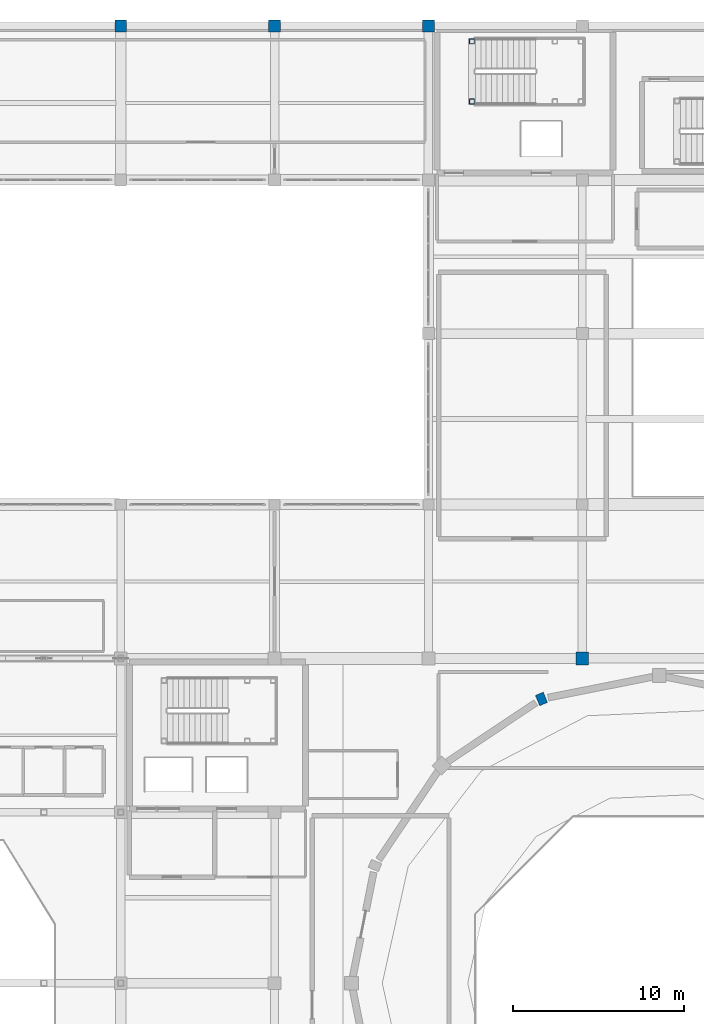
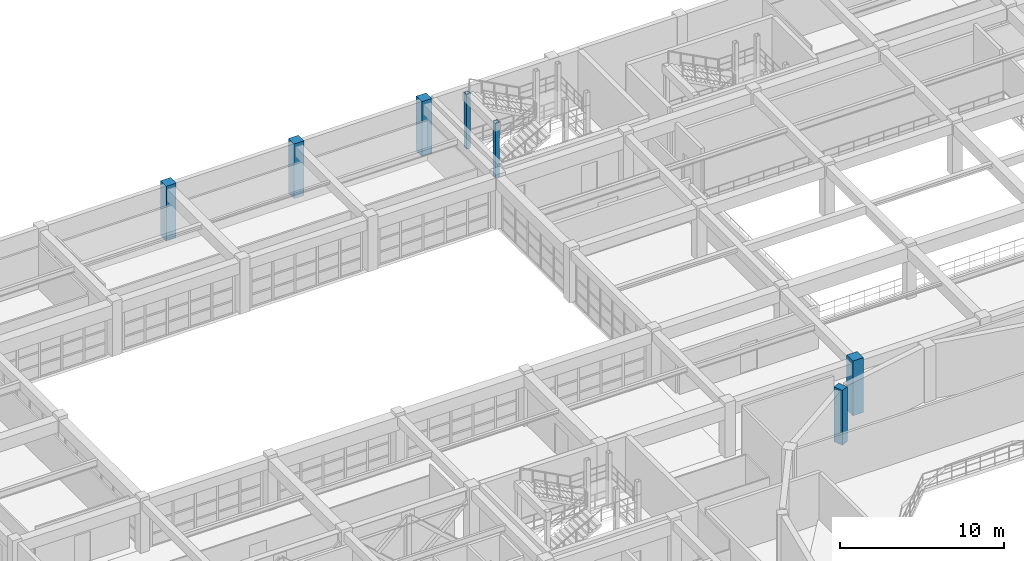
# One storey, part 10 of 130: 7 columns.
"""IFC4 building model written with IfcOpenShell, lengths in metres."""

from ifc_helpers import new_model, si_unit, direction, frame, origin, origin_2d, place, context, subcontext, project, spatial, rectangle, hollow_rectangle, extrude, material, material_profile, profile_set, type_object, element, save


model = new_model("IFC4")

# Units and contexts
model_context = context("Model", 3, precision=1e-05, world=origin(), true_north=direction((0.0, 1.0)))
body_context = subcontext(model_context, "Body", "Model", "MODEL_VIEW")
ifc_project = project(units=[si_unit("LENGTHUNIT", "METRE"), si_unit("AREAUNIT", "SQUARE_METRE"), si_unit("VOLUMEUNIT", "CUBIC_METRE"), si_unit("PLANEANGLEUNIT", "RADIAN"), si_unit("MASSUNIT", "GRAM", prefix="KILO")], contexts=[model_context])

# Site, building, storey
site_placement = place(None, origin())
site = spatial("IfcSite", under=ifc_project, at=site_placement, CompositionType="ELEMENT")
building_placement = place(site_placement, origin())
building = spatial("IfcBuilding", under=site, at=building_placement, Name="Miravela Opera House", CompositionType="ELEMENT")
storey_placement = place(building_placement, frame((0.0, 0.0, 9.52001953125)))
storey = spatial("IfcBuildingStorey", under=building, at=storey_placement, Name="L02", CompositionType="ELEMENT", Elevation=9.52001953125)

# Columns
ifc_material_1 = material(Name="Hollow structural steel ASTM A500 Gr. C", Category="steel")
ifc_material_profile_1 = material_profile(ifc_material_1, hollow_rectangle(XDim=0.300048828125, YDim=0.300048828125, WallThickness=0.01611328125, InnerFilletRadius=0.01611328125, OuterFilletRadius=0.031982421875, at=origin_2d()), Name="HSS300X300X16")
ifc_profile_set_1 = profile_set([ifc_material_profile_1])
column_type_1 = type_object("IfcColumnType", Name="STR-COL-HSS300", PredefinedType="COLUMN", material=ifc_profile_set_1)
for number, where, z_axis, x_axis, name in (
    (1, (65.5400390625, 107.580078125, 0.0), (0.0, 0.0, 1.0), (1.0, 0.0, 0.0), "Stair K5 Landing Support Column 1 (L02)"),
    (2, (65.5400390625, 111.10009765625, 0.0), (0.0, 0.0, 1.0), (1.0, 0.0, 0.0), "Stair K5 Landing Support Column 2 (L02)"),
):
    element("IfcColumn", number, at=place(storey_placement, frame(where, z_axis=z_axis, x_axis=x_axis)), inside=storey, type_object=column_type_1, Name=name, PredefinedType="COLUMN", context=body_context, shape_type="SweptSolid", body=[
        extrude(hollow_rectangle(XDim=0.300048828125, YDim=0.300048828125, WallThickness=0.01611328125, InnerFilletRadius=0.01611328125, OuterFilletRadius=0.031982421875, at=origin_2d()), origin(), (0.0, 0.0, 1.0), 4.080078125),
    ])
ifc_material_2 = material(Name="Concrete C35/45", Category="concrete")
ifc_material_profile_2 = material_profile(ifc_material_2, rectangle(XDim=0.699951171875, YDim=0.699951171875, at=origin_2d()), Name="RC-COL-700X700")
ifc_profile_set_2 = profile_set([ifc_material_profile_2])
column_type_2 = type_object("IfcColumnType", Name="STR-COL-RC700", PredefinedType="COLUMN", material=ifc_profile_set_2)
for number, where, z_axis, x_axis, name in (
    (3, (45.0, 112.0, 0.0), (0.0, 0.0, 1.0), (1.0, 0.0, 0.0), "Column C-6M (L02)"),
    (4, (54.0, 112.0, 0.0), (0.0, 0.0, 1.0), (1.0, 0.0, 0.0), "Column C-7M (L02)"),
    (5, (63.0, 112.0, 0.0), (0.0, 0.0, 1.0), (1.0, 0.0, 0.0), "Column C-8M (L02)"),
):
    element("IfcColumn", number, at=place(storey_placement, frame(where, z_axis=z_axis, x_axis=x_axis)), inside=storey, type_object=column_type_2, Name=name, PredefinedType="COLUMN", context=body_context, shape_type="SweptSolid", body=[
        extrude(rectangle(XDim=0.699951171875, YDim=0.699951171875, at=origin_2d()), origin(), (0.0, 0.0, 1.0), 4.080078125),
    ])
ifc_material_profile_3 = material_profile(ifc_material_2, rectangle(XDim=0.75, YDim=0.75, at=origin_2d()), Name="RC-COL-750X750")
ifc_profile_set_3 = profile_set([ifc_material_profile_3])
column_type_3 = type_object("IfcColumnType", Name="STR-COL-RC750", PredefinedType="COLUMN", material=ifc_profile_set_3)
column_1_placement = place(storey_placement, frame((72.0, 75.0, 0.0), z_axis=(0.0, 0.0, 1.0), x_axis=(1.0, 0.0, 0.0)))
element("IfcColumn", 6, at=column_1_placement, inside=storey, type_object=column_type_3, Name="Column C-9I (L02)", PredefinedType="COLUMN", context=body_context, shape_type="SweptSolid", body=[
    extrude(rectangle(XDim=0.75, YDim=0.75, at=origin_2d()), origin(), (0.0, 0.0, 1.0), 4.080078125),
])
ifc_material_profile_4 = material_profile(ifc_material_2, rectangle(XDim=0.64990234375, YDim=0.5, at=origin_2d()), Name="RC-PIL-650X500")
ifc_profile_set_4 = profile_set([ifc_material_profile_4])
column_type_4 = type_object("IfcColumnType", Name="STR-PIL-RC650X500", PredefinedType="PILASTER", material=ifc_profile_set_4)
column_2_placement = place(storey_placement, frame((69.61181640625, 72.6298828125, 0.0), z_axis=(0.0, 0.0, 1.0), x_axis=(-0.382683432365, 0.923879532511, 0.0)))
element("IfcColumn", 7, at=column_2_placement, inside=storey, type_object=column_type_4, Name="Auditorium Drum Column DC-06 (L02)", PredefinedType="PILASTER", context=body_context, shape_type="SweptSolid", body=[
    extrude(rectangle(XDim=0.64990234375, YDim=0.5, at=origin_2d()), origin(), (0.0, 0.0, 1.0), 4.080078125),
])

save(model, "model.ifc")
